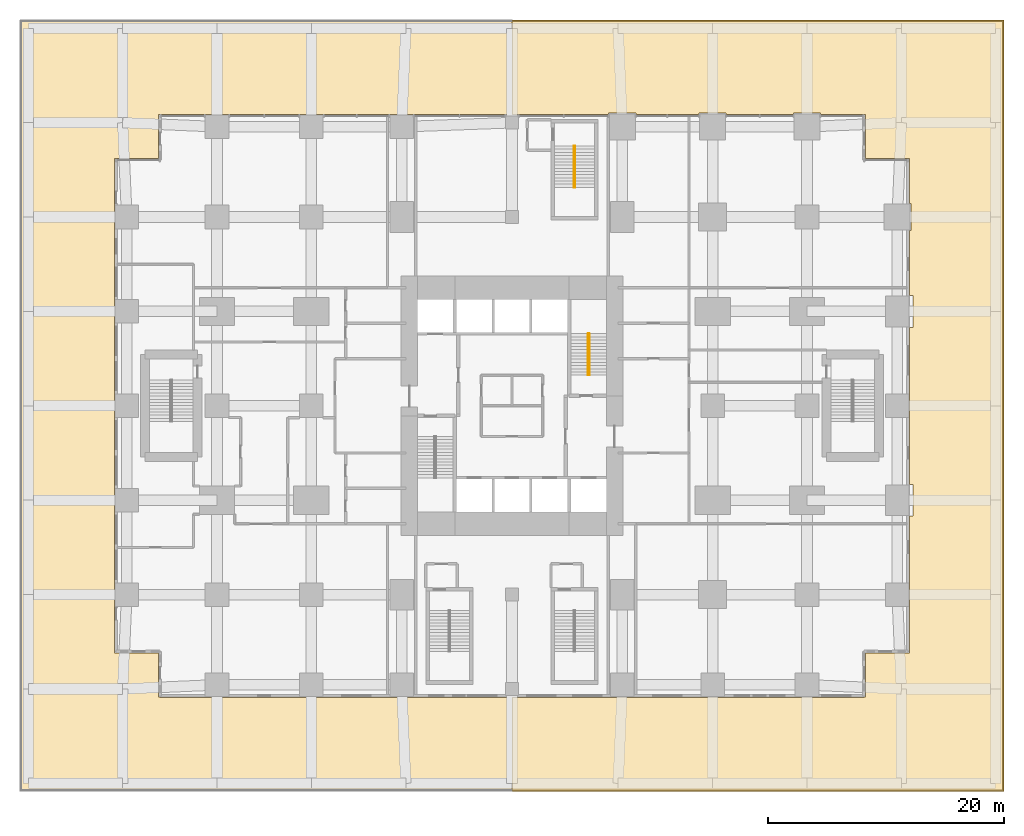
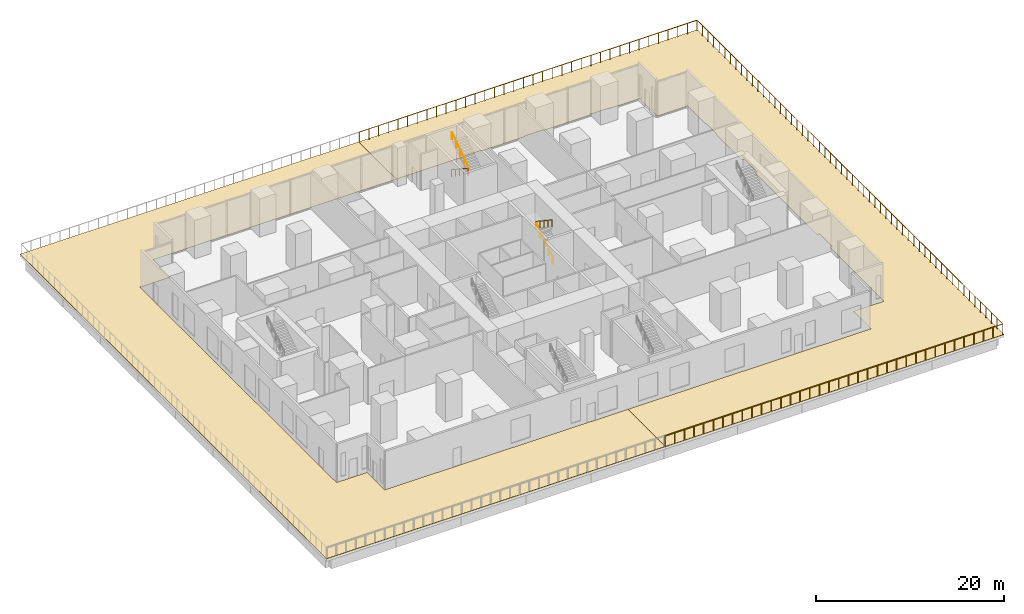
# One storey, part 15 of 16: 5 railings, 3 coverings.
"""IFC4 building model written with IfcOpenShell, lengths in metres."""

from ifc_helpers import new_model, si_unit, direction, frame, origin, origin_2d, place, context, subcontext, project, spatial, polyline, circle, outline, extrude, material, layer, layer_set, type_object, element, save


model = new_model("IFC4")

# Units and contexts
model_context = context("Model", 3, precision=1e-05, world=origin(), true_north=direction((0.0, 1.0)))
body_context = subcontext(model_context, "Body", "Model", "MODEL_VIEW")
ifc_project = project(units=[si_unit("LENGTHUNIT", "METRE"), si_unit("AREAUNIT", "SQUARE_METRE"), si_unit("VOLUMEUNIT", "CUBIC_METRE"), si_unit("PLANEANGLEUNIT", "RADIAN"), si_unit("MASSUNIT", "GRAM", prefix="KILO")], contexts=[model_context])

# Site, building, storey
site_placement = place(None, origin())
site = spatial("IfcSite", under=ifc_project, at=site_placement, CompositionType="ELEMENT")
building_placement = place(site_placement, origin())
building = spatial("IfcBuilding", under=site, at=building_placement, Name="Cleftline Residences", CompositionType="ELEMENT")
storey_placement = place(building_placement, frame((0.0, 0.0, 16.0)))
storey = spatial("IfcBuildingStorey", under=building, at=storey_placement, Name="L03", CompositionType="ELEMENT", Elevation=16.0)

# Railings
ifc_material_1 = material(Name="Stainless steel", Category="steel")
railing_type_1 = type_object("IfcRailingType", Name="HANDRAIL 900", PredefinedType="HANDRAIL", material=ifc_material_1)
railing_1_placement = place(storey_placement, frame((39.550048828125, 26.60009765625, 0.1787109375)))
element("IfcRailing", 1, at=railing_1_placement, inside=storey, type_object=railing_type_1, Name="Stair handrail", PredefinedType="HANDRAIL", context=body_context, shape_type="SweptSolid", body=[
    extrude(circle(Radius=0.02392578125, at=origin_2d()), frame((0.0, 0.0, 0.8759765625), z_axis=(0.0, 0.834097473627, 0.551617081397), x_axis=(-1.0, 0.0, 0.0)), (0.0, 0.0, 1.0), 4.208251953125),
    extrude(circle(Radius=0.02099609375, at=origin_2d()), origin(), (0.0, 0.0, 1.0), 0.851806640625),
    extrude(circle(Radius=0.02099609375, at=origin_2d()), frame((0.0, 0.87744140625, 0.580322265625)), (0.0, 0.0, 1.0), 0.851806640625),
    extrude(circle(Radius=0.02099609375, at=origin_2d()), frame((0.0, 1.7548828125, 1.16064453125)), (0.0, 0.0, 1.0), 0.851806640625),
    extrude(circle(Radius=0.02099609375, at=origin_2d()), frame((0.0, 2.632568359375, 1.740966796875)), (0.0, 0.0, 1.0), 0.851806640625),
    extrude(circle(Radius=0.02099609375, at=origin_2d()), frame((0.0, 3.510009765625, 2.3212890625)), (0.0, 0.0, 1.0), 0.851806640625),
])
for number, where, name in (
    (2, (39.449951171875, 30.110107421875, 2.6787109375), "Stair handrail"),
    (3, (38.25, 46.02001953125, 0.1787109375), "Stair handrail"),
):
    element("IfcRailing", number, at=place(storey_placement, frame(where)), inside=storey, type_object=railing_type_1, Name=name, PredefinedType="HANDRAIL", context=body_context, shape_type="SweptSolid", body=[
        extrude(circle(Radius=0.02392578125, at=origin_2d()), frame((0.0, 0.0, 0.8759765625), z_axis=(0.0, -0.834097473627, 0.551617081397), x_axis=(1.0, 0.0, 0.0)), (0.0, 0.0, 1.0), 4.208251953125),
        extrude(circle(Radius=0.02099609375, at=origin_2d()), origin(), (0.0, 0.0, 1.0), 0.851806640625),
        extrude(circle(Radius=0.02099609375, at=origin_2d()), frame((0.0, -0.87744140625, 0.580322265625)), (0.0, 0.0, 1.0), 0.851806640625),
        extrude(circle(Radius=0.02099609375, at=origin_2d()), frame((0.0, -1.7548828125, 1.16064453125)), (0.0, 0.0, 1.0), 0.851806640625),
        extrude(circle(Radius=0.02099609375, at=origin_2d()), frame((0.0, -2.632568359375, 1.740966796875)), (0.0, 0.0, 1.0), 0.851806640625),
        extrude(circle(Radius=0.02099609375, at=origin_2d()), frame((0.0, -3.510009765625, 2.3212890625)), (0.0, 0.0, 1.0), 0.851806640625),
    ])
railing_2_placement = place(storey_placement, frame((38.35009765625, 42.510009765625, 2.6787109375)))
element("IfcRailing", 4, at=railing_2_placement, inside=storey, type_object=railing_type_1, Name="Stair handrail", PredefinedType="HANDRAIL", context=body_context, shape_type="SweptSolid", body=[
    extrude(circle(Radius=0.02392578125, at=origin_2d()), frame((0.0, 0.0, 0.8759765625), z_axis=(0.0, 0.834097473627, 0.551617081397), x_axis=(-1.0, 0.0, 0.0)), (0.0, 0.0, 1.0), 4.208251953125),
    extrude(circle(Radius=0.02099609375, at=origin_2d()), origin(), (0.0, 0.0, 1.0), 0.851806640625),
    extrude(circle(Radius=0.02099609375, at=origin_2d()), frame((0.0, 0.87744140625, 0.580322265625)), (0.0, 0.0, 1.0), 0.851806640625),
    extrude(circle(Radius=0.02099609375, at=origin_2d()), frame((0.0, 1.7548828125, 1.16064453125)), (0.0, 0.0, 1.0), 0.851806640625),
    extrude(circle(Radius=0.02099609375, at=origin_2d()), frame((0.0, 2.632568359375, 1.740966796875)), (0.0, 0.0, 1.0), 0.851806640625),
    extrude(circle(Radius=0.02099609375, at=origin_2d()), frame((0.0, 3.510009765625, 2.3212890625)), (0.0, 0.0, 1.0), 0.851806640625),
])
ifc_material_2 = material(Name="Stainless steel and laminated glass", Category="steel")
railing_type_2 = type_object("IfcRailingType", Name="TERRACE GUARD 1400", PredefinedType="GUARDRAIL", material=ifc_material_2)
railing_3_placement = place(storey_placement, frame((33.02490234375, 56.60009765625, 0.0)))
element("IfcRailing", 5, at=railing_3_placement, inside=storey, type_object=railing_type_2, Name="Terrace guard", PredefinedType="GUARDRAIL", context=body_context, shape_type="SweptSolid", body=[
    extrude(circle(Radius=0.02392578125, at=origin_2d()), frame((0.0, 0.0, 1.3759765625), z_axis=(1.0, 0.0, 0.0), x_axis=(0.0, 1.0, 0.0)), (0.0, 0.0, 1.0), 41.5751953125),
    extrude(circle(Radius=0.02392578125, at=origin_2d()), frame((41.5751953125, 0.0, 1.3759765625), z_axis=(0.0, -1.0, 0.0), x_axis=(1.0, 0.0, 0.0)), (0.0, 0.0, 1.0), 65.2001953125),
    extrude(circle(Radius=0.02392578125, at=origin_2d()), frame((41.5751953125, -65.2001953125, 1.3759765625), z_axis=(-1.0, 0.0, 0.0), x_axis=(0.0, -1.0, 0.0)), (0.0, 0.0, 1.0), 41.5751953125),
    extrude(circle(Radius=0.02099609375, at=origin_2d()), origin(), (0.0, 0.0, 1.0), 1.351806640625),
    extrude(circle(Radius=0.02099609375, at=origin_2d()), frame((1.187744140625, 0.0, 0.0)), (0.0, 0.0, 1.0), 1.351806640625),
    extrude(circle(Radius=0.02099609375, at=origin_2d()), frame((2.375732421875, 0.0, 0.0)), (0.0, 0.0, 1.0), 1.351806640625),
    extrude(circle(Radius=0.02099609375, at=origin_2d()), frame((3.5634765625, 0.0, 0.0)), (0.0, 0.0, 1.0), 1.351806640625),
    extrude(circle(Radius=0.02099609375, at=origin_2d()), frame((4.75146484375, 0.0, 0.0)), (0.0, 0.0, 1.0), 1.351806640625),
    extrude(circle(Radius=0.02099609375, at=origin_2d()), frame((5.939208984375, 0.0, 0.0)), (0.0, 0.0, 1.0), 1.351806640625),
    extrude(circle(Radius=0.02099609375, at=origin_2d()), frame((7.127197265625, 0.0, 0.0)), (0.0, 0.0, 1.0), 1.351806640625),
    extrude(circle(Radius=0.02099609375, at=origin_2d()), frame((8.31494140625, 0.0, 0.0)), (0.0, 0.0, 1.0), 1.351806640625),
    extrude(circle(Radius=0.02099609375, at=origin_2d()), frame((9.5029296875, 0.0, 0.0)), (0.0, 0.0, 1.0), 1.351806640625),
    extrude(circle(Radius=0.02099609375, at=origin_2d()), frame((10.690673828125, 0.0, 0.0)), (0.0, 0.0, 1.0), 1.351806640625),
    extrude(circle(Radius=0.02099609375, at=origin_2d()), frame((11.878662109375, 0.0, 0.0)), (0.0, 0.0, 1.0), 1.351806640625),
    extrude(circle(Radius=0.02099609375, at=origin_2d()), frame((13.06640625, 0.0, 0.0)), (0.0, 0.0, 1.0), 1.351806640625),
    extrude(circle(Radius=0.02099609375, at=origin_2d()), frame((14.25439453125, 0.0, 0.0)), (0.0, 0.0, 1.0), 1.351806640625),
    extrude(circle(Radius=0.02099609375, at=origin_2d()), frame((15.442138671875, 0.0, 0.0)), (0.0, 0.0, 1.0), 1.351806640625),
    extrude(circle(Radius=0.02099609375, at=origin_2d()), frame((16.630126953125, 0.0, 0.0)), (0.0, 0.0, 1.0), 1.351806640625),
    extrude(circle(Radius=0.02099609375, at=origin_2d()), frame((17.81787109375, 0.0, 0.0)), (0.0, 0.0, 1.0), 1.351806640625),
    extrude(circle(Radius=0.02099609375, at=origin_2d()), frame((19.005859375, 0.0, 0.0)), (0.0, 0.0, 1.0), 1.351806640625),
    extrude(circle(Radius=0.02099609375, at=origin_2d()), frame((20.193603515625, 0.0, 0.0)), (0.0, 0.0, 1.0), 1.351806640625),
    extrude(circle(Radius=0.02099609375, at=origin_2d()), frame((21.381591796875, 0.0, 0.0)), (0.0, 0.0, 1.0), 1.351806640625),
    extrude(circle(Radius=0.02099609375, at=origin_2d()), frame((22.5693359375, 0.0, 0.0)), (0.0, 0.0, 1.0), 1.351806640625),
    extrude(circle(Radius=0.02099609375, at=origin_2d()), frame((23.75732421875, 0.0, 0.0)), (0.0, 0.0, 1.0), 1.351806640625),
    extrude(circle(Radius=0.02099609375, at=origin_2d()), frame((24.945068359375, 0.0, 0.0)), (0.0, 0.0, 1.0), 1.351806640625),
    extrude(circle(Radius=0.02099609375, at=origin_2d()), frame((26.133056640625, 0.0, 0.0)), (0.0, 0.0, 1.0), 1.351806640625),
    extrude(circle(Radius=0.02099609375, at=origin_2d()), frame((27.32080078125, 0.0, 0.0)), (0.0, 0.0, 1.0), 1.351806640625),
    extrude(circle(Radius=0.02099609375, at=origin_2d()), frame((28.5087890625, 0.0, 0.0)), (0.0, 0.0, 1.0), 1.351806640625),
    extrude(circle(Radius=0.02099609375, at=origin_2d()), frame((29.696533203125, 0.0, 0.0)), (0.0, 0.0, 1.0), 1.351806640625),
    extrude(circle(Radius=0.02099609375, at=origin_2d()), frame((30.884521484375, 0.0, 0.0)), (0.0, 0.0, 1.0), 1.351806640625),
    extrude(circle(Radius=0.02099609375, at=origin_2d()), frame((32.072265625, 0.0, 0.0)), (0.0, 0.0, 1.0), 1.351806640625),
    extrude(circle(Radius=0.02099609375, at=origin_2d()), frame((33.26025390625, 0.0, 0.0)), (0.0, 0.0, 1.0), 1.351806640625),
    extrude(circle(Radius=0.02099609375, at=origin_2d()), frame((34.447998046875, 0.0, 0.0)), (0.0, 0.0, 1.0), 1.351806640625),
    extrude(circle(Radius=0.02099609375, at=origin_2d()), frame((35.635986328125, 0.0, 0.0)), (0.0, 0.0, 1.0), 1.351806640625),
    extrude(circle(Radius=0.02099609375, at=origin_2d()), frame((36.82373046875, 0.0, 0.0)), (0.0, 0.0, 1.0), 1.351806640625),
    extrude(circle(Radius=0.02099609375, at=origin_2d()), frame((38.01171875, 0.0, 0.0)), (0.0, 0.0, 1.0), 1.351806640625),
    extrude(circle(Radius=0.02099609375, at=origin_2d()), frame((39.199462890625, 0.0, 0.0)), (0.0, 0.0, 1.0), 1.351806640625),
    extrude(circle(Radius=0.02099609375, at=origin_2d()), frame((40.387451171875, 0.0, 0.0)), (0.0, 0.0, 1.0), 1.351806640625),
    extrude(circle(Radius=0.02099609375, at=origin_2d()), frame((41.5751953125, 0.0, 0.0)), (0.0, 0.0, 1.0), 1.351806640625),
    extrude(circle(Radius=0.02099609375, at=origin_2d()), frame((41.5751953125, -1.185546875, 0.0)), (0.0, 0.0, 1.0), 1.351806640625),
    extrude(circle(Radius=0.02099609375, at=origin_2d()), frame((41.5751953125, -2.370849609375, 0.0)), (0.0, 0.0, 1.0), 1.351806640625),
    extrude(circle(Radius=0.02099609375, at=origin_2d()), frame((41.5751953125, -3.556396484375, 0.0)), (0.0, 0.0, 1.0), 1.351806640625),
    extrude(circle(Radius=0.02099609375, at=origin_2d()), frame((41.5751953125, -4.741943359375, 0.0)), (0.0, 0.0, 1.0), 1.351806640625),
    extrude(circle(Radius=0.02099609375, at=origin_2d()), frame((41.5751953125, -5.92724609375, 0.0)), (0.0, 0.0, 1.0), 1.351806640625),
    extrude(circle(Radius=0.02099609375, at=origin_2d()), frame((41.5751953125, -7.11279296875, 0.0)), (0.0, 0.0, 1.0), 1.351806640625),
    extrude(circle(Radius=0.02099609375, at=origin_2d()), frame((41.5751953125, -8.298095703125, 0.0)), (0.0, 0.0, 1.0), 1.351806640625),
    extrude(circle(Radius=0.02099609375, at=origin_2d()), frame((41.5751953125, -9.483642578125, 0.0)), (0.0, 0.0, 1.0), 1.351806640625),
    extrude(circle(Radius=0.02099609375, at=origin_2d()), frame((41.5751953125, -10.669189453125, 0.0)), (0.0, 0.0, 1.0), 1.351806640625),
    extrude(circle(Radius=0.02099609375, at=origin_2d()), frame((41.5751953125, -11.8544921875, 0.0)), (0.0, 0.0, 1.0), 1.351806640625),
    extrude(circle(Radius=0.02099609375, at=origin_2d()), frame((41.5751953125, -13.0400390625, 0.0)), (0.0, 0.0, 1.0), 1.351806640625),
    extrude(circle(Radius=0.02099609375, at=origin_2d()), frame((41.5751953125, -14.2255859375, 0.0)), (0.0, 0.0, 1.0), 1.351806640625),
    extrude(circle(Radius=0.02099609375, at=origin_2d()), frame((41.5751953125, -15.410888671875, 0.0)), (0.0, 0.0, 1.0), 1.351806640625),
    extrude(circle(Radius=0.02099609375, at=origin_2d()), frame((41.5751953125, -16.596435546875, 0.0)), (0.0, 0.0, 1.0), 1.351806640625),
    extrude(circle(Radius=0.02099609375, at=origin_2d()), frame((41.5751953125, -17.781982421875, 0.0)), (0.0, 0.0, 1.0), 1.351806640625),
    extrude(circle(Radius=0.02099609375, at=origin_2d()), frame((41.5751953125, -18.96728515625, 0.0)), (0.0, 0.0, 1.0), 1.351806640625),
    extrude(circle(Radius=0.02099609375, at=origin_2d()), frame((41.5751953125, -20.15283203125, 0.0)), (0.0, 0.0, 1.0), 1.351806640625),
    extrude(circle(Radius=0.02099609375, at=origin_2d()), frame((41.5751953125, -21.338134765625, 0.0)), (0.0, 0.0, 1.0), 1.351806640625),
    extrude(circle(Radius=0.02099609375, at=origin_2d()), frame((41.5751953125, -22.523681640625, 0.0)), (0.0, 0.0, 1.0), 1.351806640625),
    extrude(circle(Radius=0.02099609375, at=origin_2d()), frame((41.5751953125, -23.709228515625, 0.0)), (0.0, 0.0, 1.0), 1.351806640625),
    extrude(circle(Radius=0.02099609375, at=origin_2d()), frame((41.5751953125, -24.89453125, 0.0)), (0.0, 0.0, 1.0), 1.351806640625),
    extrude(circle(Radius=0.02099609375, at=origin_2d()), frame((41.5751953125, -26.080078125, 0.0)), (0.0, 0.0, 1.0), 1.351806640625),
    extrude(circle(Radius=0.02099609375, at=origin_2d()), frame((41.5751953125, -27.265625, 0.0)), (0.0, 0.0, 1.0), 1.351806640625),
    extrude(circle(Radius=0.02099609375, at=origin_2d()), frame((41.5751953125, -28.450927734375, 0.0)), (0.0, 0.0, 1.0), 1.351806640625),
    extrude(circle(Radius=0.02099609375, at=origin_2d()), frame((41.5751953125, -29.636474609375, 0.0)), (0.0, 0.0, 1.0), 1.351806640625),
    extrude(circle(Radius=0.02099609375, at=origin_2d()), frame((41.5751953125, -30.822021484375, 0.0)), (0.0, 0.0, 1.0), 1.351806640625),
    extrude(circle(Radius=0.02099609375, at=origin_2d()), frame((41.5751953125, -32.00732421875, 0.0)), (0.0, 0.0, 1.0), 1.351806640625),
    extrude(circle(Radius=0.02099609375, at=origin_2d()), frame((41.5751953125, -33.19287109375, 0.0)), (0.0, 0.0, 1.0), 1.351806640625),
    extrude(circle(Radius=0.02099609375, at=origin_2d()), frame((41.5751953125, -34.378173828125, 0.0)), (0.0, 0.0, 1.0), 1.351806640625),
    extrude(circle(Radius=0.02099609375, at=origin_2d()), frame((41.5751953125, -35.563720703125, 0.0)), (0.0, 0.0, 1.0), 1.351806640625),
    extrude(circle(Radius=0.02099609375, at=origin_2d()), frame((41.5751953125, -36.749267578125, 0.0)), (0.0, 0.0, 1.0), 1.351806640625),
    extrude(circle(Radius=0.02099609375, at=origin_2d()), frame((41.5751953125, -37.9345703125, 0.0)), (0.0, 0.0, 1.0), 1.351806640625),
    extrude(circle(Radius=0.02099609375, at=origin_2d()), frame((41.5751953125, -39.1201171875, 0.0)), (0.0, 0.0, 1.0), 1.351806640625),
    extrude(circle(Radius=0.02099609375, at=origin_2d()), frame((41.5751953125, -40.3056640625, 0.0)), (0.0, 0.0, 1.0), 1.351806640625),
    extrude(circle(Radius=0.02099609375, at=origin_2d()), frame((41.5751953125, -41.490966796875, 0.0)), (0.0, 0.0, 1.0), 1.351806640625),
    extrude(circle(Radius=0.02099609375, at=origin_2d()), frame((41.5751953125, -42.676513671875, 0.0)), (0.0, 0.0, 1.0), 1.351806640625),
    extrude(circle(Radius=0.02099609375, at=origin_2d()), frame((41.5751953125, -43.862060546875, 0.0)), (0.0, 0.0, 1.0), 1.351806640625),
    extrude(circle(Radius=0.02099609375, at=origin_2d()), frame((41.5751953125, -45.04736328125, 0.0)), (0.0, 0.0, 1.0), 1.351806640625),
    extrude(circle(Radius=0.02099609375, at=origin_2d()), frame((41.5751953125, -46.23291015625, 0.0)), (0.0, 0.0, 1.0), 1.351806640625),
    extrude(circle(Radius=0.02099609375, at=origin_2d()), frame((41.5751953125, -47.418212890625, 0.0)), (0.0, 0.0, 1.0), 1.351806640625),
    extrude(circle(Radius=0.02099609375, at=origin_2d()), frame((41.5751953125, -48.603759765625, 0.0)), (0.0, 0.0, 1.0), 1.351806640625),
    extrude(circle(Radius=0.02099609375, at=origin_2d()), frame((41.5751953125, -49.789306640625, 0.0)), (0.0, 0.0, 1.0), 1.351806640625),
    extrude(circle(Radius=0.02099609375, at=origin_2d()), frame((41.5751953125, -50.974609375, 0.0)), (0.0, 0.0, 1.0), 1.351806640625),
    extrude(circle(Radius=0.02099609375, at=origin_2d()), frame((41.5751953125, -52.16015625, 0.0)), (0.0, 0.0, 1.0), 1.351806640625),
    extrude(circle(Radius=0.02099609375, at=origin_2d()), frame((41.5751953125, -53.345703125, 0.0)), (0.0, 0.0, 1.0), 1.351806640625),
    extrude(circle(Radius=0.02099609375, at=origin_2d()), frame((41.5751953125, -54.531005859375, 0.0)), (0.0, 0.0, 1.0), 1.351806640625),
    extrude(circle(Radius=0.02099609375, at=origin_2d()), frame((41.5751953125, -55.716552734375, 0.0)), (0.0, 0.0, 1.0), 1.351806640625),
    extrude(circle(Radius=0.02099609375, at=origin_2d()), frame((41.5751953125, -56.902099609375, 0.0)), (0.0, 0.0, 1.0), 1.351806640625),
    extrude(circle(Radius=0.02099609375, at=origin_2d()), frame((41.5751953125, -58.08740234375, 0.0)), (0.0, 0.0, 1.0), 1.351806640625),
    extrude(circle(Radius=0.02099609375, at=origin_2d()), frame((41.5751953125, -59.27294921875, 0.0)), (0.0, 0.0, 1.0), 1.351806640625),
    extrude(circle(Radius=0.02099609375, at=origin_2d()), frame((41.5751953125, -60.458251953125, 0.0)), (0.0, 0.0, 1.0), 1.351806640625),
    extrude(circle(Radius=0.02099609375, at=origin_2d()), frame((41.5751953125, -61.643798828125, 0.0)), (0.0, 0.0, 1.0), 1.351806640625),
    extrude(circle(Radius=0.02099609375, at=origin_2d()), frame((41.5751953125, -62.829345703125, 0.0)), (0.0, 0.0, 1.0), 1.351806640625),
    extrude(circle(Radius=0.02099609375, at=origin_2d()), frame((41.5751953125, -64.0146484375, 0.0)), (0.0, 0.0, 1.0), 1.351806640625),
    extrude(circle(Radius=0.02099609375, at=origin_2d()), frame((41.5751953125, -65.2001953125, 0.0)), (0.0, 0.0, 1.0), 1.351806640625),
    extrude(circle(Radius=0.02099609375, at=origin_2d()), frame((40.387451171875, -65.2001953125, 0.0)), (0.0, 0.0, 1.0), 1.351806640625),
    extrude(circle(Radius=0.02099609375, at=origin_2d()), frame((39.199462890625, -65.2001953125, 0.0)), (0.0, 0.0, 1.0), 1.351806640625),
    extrude(circle(Radius=0.02099609375, at=origin_2d()), frame((38.01171875, -65.2001953125, 0.0)), (0.0, 0.0, 1.0), 1.351806640625),
    extrude(circle(Radius=0.02099609375, at=origin_2d()), frame((36.82373046875, -65.2001953125, 0.0)), (0.0, 0.0, 1.0), 1.351806640625),
    extrude(circle(Radius=0.02099609375, at=origin_2d()), frame((35.635986328125, -65.2001953125, 0.0)), (0.0, 0.0, 1.0), 1.351806640625),
    extrude(circle(Radius=0.02099609375, at=origin_2d()), frame((34.447998046875, -65.2001953125, 0.0)), (0.0, 0.0, 1.0), 1.351806640625),
    extrude(circle(Radius=0.02099609375, at=origin_2d()), frame((33.26025390625, -65.2001953125, 0.0)), (0.0, 0.0, 1.0), 1.351806640625),
    extrude(circle(Radius=0.02099609375, at=origin_2d()), frame((32.072265625, -65.2001953125, 0.0)), (0.0, 0.0, 1.0), 1.351806640625),
    extrude(circle(Radius=0.02099609375, at=origin_2d()), frame((30.884521484375, -65.2001953125, 0.0)), (0.0, 0.0, 1.0), 1.351806640625),
    extrude(circle(Radius=0.02099609375, at=origin_2d()), frame((29.696533203125, -65.2001953125, 0.0)), (0.0, 0.0, 1.0), 1.351806640625),
    extrude(circle(Radius=0.02099609375, at=origin_2d()), frame((28.5087890625, -65.2001953125, 0.0)), (0.0, 0.0, 1.0), 1.351806640625),
    extrude(circle(Radius=0.02099609375, at=origin_2d()), frame((27.32080078125, -65.2001953125, 0.0)), (0.0, 0.0, 1.0), 1.351806640625),
    extrude(circle(Radius=0.02099609375, at=origin_2d()), frame((26.133056640625, -65.2001953125, 0.0)), (0.0, 0.0, 1.0), 1.351806640625),
    extrude(circle(Radius=0.02099609375, at=origin_2d()), frame((24.945068359375, -65.2001953125, 0.0)), (0.0, 0.0, 1.0), 1.351806640625),
    extrude(circle(Radius=0.02099609375, at=origin_2d()), frame((23.75732421875, -65.2001953125, 0.0)), (0.0, 0.0, 1.0), 1.351806640625),
    extrude(circle(Radius=0.02099609375, at=origin_2d()), frame((22.5693359375, -65.2001953125, 0.0)), (0.0, 0.0, 1.0), 1.351806640625),
    extrude(circle(Radius=0.02099609375, at=origin_2d()), frame((21.381591796875, -65.2001953125, 0.0)), (0.0, 0.0, 1.0), 1.351806640625),
    extrude(circle(Radius=0.02099609375, at=origin_2d()), frame((20.193603515625, -65.2001953125, 0.0)), (0.0, 0.0, 1.0), 1.351806640625),
    extrude(circle(Radius=0.02099609375, at=origin_2d()), frame((19.005859375, -65.2001953125, 0.0)), (0.0, 0.0, 1.0), 1.351806640625),
    extrude(circle(Radius=0.02099609375, at=origin_2d()), frame((17.81787109375, -65.2001953125, 0.0)), (0.0, 0.0, 1.0), 1.351806640625),
    extrude(circle(Radius=0.02099609375, at=origin_2d()), frame((16.630126953125, -65.2001953125, 0.0)), (0.0, 0.0, 1.0), 1.351806640625),
    extrude(circle(Radius=0.02099609375, at=origin_2d()), frame((15.442138671875, -65.2001953125, 0.0)), (0.0, 0.0, 1.0), 1.351806640625),
    extrude(circle(Radius=0.02099609375, at=origin_2d()), frame((14.25439453125, -65.2001953125, 0.0)), (0.0, 0.0, 1.0), 1.351806640625),
    extrude(circle(Radius=0.02099609375, at=origin_2d()), frame((13.06640625, -65.2001953125, 0.0)), (0.0, 0.0, 1.0), 1.351806640625),
    extrude(circle(Radius=0.02099609375, at=origin_2d()), frame((11.878662109375, -65.2001953125, 0.0)), (0.0, 0.0, 1.0), 1.351806640625),
    extrude(circle(Radius=0.02099609375, at=origin_2d()), frame((10.690673828125, -65.2001953125, 0.0)), (0.0, 0.0, 1.0), 1.351806640625),
    extrude(circle(Radius=0.02099609375, at=origin_2d()), frame((9.5029296875, -65.2001953125, 0.0)), (0.0, 0.0, 1.0), 1.351806640625),
    extrude(circle(Radius=0.02099609375, at=origin_2d()), frame((8.31494140625, -65.2001953125, 0.0)), (0.0, 0.0, 1.0), 1.351806640625),
    extrude(circle(Radius=0.02099609375, at=origin_2d()), frame((7.127197265625, -65.2001953125, 0.0)), (0.0, 0.0, 1.0), 1.351806640625),
    extrude(circle(Radius=0.02099609375, at=origin_2d()), frame((5.939208984375, -65.2001953125, 0.0)), (0.0, 0.0, 1.0), 1.351806640625),
    extrude(circle(Radius=0.02099609375, at=origin_2d()), frame((4.75146484375, -65.2001953125, 0.0)), (0.0, 0.0, 1.0), 1.351806640625),
    extrude(circle(Radius=0.02099609375, at=origin_2d()), frame((3.5634765625, -65.2001953125, 0.0)), (0.0, 0.0, 1.0), 1.351806640625),
    extrude(circle(Radius=0.02099609375, at=origin_2d()), frame((2.375732421875, -65.2001953125, 0.0)), (0.0, 0.0, 1.0), 1.351806640625),
    extrude(circle(Radius=0.02099609375, at=origin_2d()), frame((1.187744140625, -65.2001953125, 0.0)), (0.0, 0.0, 1.0), 1.351806640625),
    extrude(circle(Radius=0.02099609375, at=origin_2d()), frame((0.0, -65.2001953125, 0.0)), (0.0, 0.0, 1.0), 1.351806640625),
])

# Coverings
ifc_material_3 = material(Name="Porcelain paving on adhesive bed")
ifc_layer_1 = layer(ifc_material_3, 0.0400390625)
ifc_layer_set_1 = layer_set([ifc_layer_1], Name="TERRACE PAVING 40")
covering_type_1 = type_object("IfcCoveringType", Name="TERRACE PAVING 40", PredefinedType="FLOORING", material=ifc_layer_set_1)
covering_1_placement = place(storey_placement, frame((0.0, 0.0, 0.0048828125)))
element("IfcCovering", 6, at=covering_1_placement, inside=storey, type_object=covering_type_1, Name="Terrace paving L03 1", PredefinedType="FLOORING", context=body_context, shape_type="SweptSolid", body=[
    extrude(outline(polyline([(-8.68994140625, -8.699951171875), (33.0, -8.699951171875), (33.0, -0.705078125), (3.169921875, -0.705078125), (3.169921875, -0.699951171875), (3.05029296875, -0.699951171875), (3.050048828125, -0.699951171875), (3.050048828125, -0.69970703125), (3.050048828125, -0.580078125), (3.044921875, -0.580078125), (3.044921875, 3.044921875), (-0.580078125, 3.044921875), (-0.580078125, 3.050048828125), (-0.69970703125, 3.050048828125), (-0.699951171875, 3.050048828125), (-0.699951171875, 3.05029296875), (-0.699951171875, 3.169921875), (-0.705078125, 3.169921875), (-0.705078125, 44.830078125), (-0.699951171875, 44.830078125), (-0.699951171875, 44.94970703125), (-0.699951171875, 44.949951171875), (-0.69970703125, 44.949951171875), (3.0400390625, 44.949951171875), (3.041015625, 44.949951171875), (3.0419921875, 44.9501953125), (3.04296875, 44.950439453125), (3.043701171875, 44.95068359375), (3.044677734375, 44.951171875), (3.044921875, 44.951416015625), (3.044921875, 48.580078125), (3.050048828125, 48.580078125), (3.050048828125, 48.69970703125), (3.050048828125, 48.699951171875), (3.05029296875, 48.699951171875), (33.0, 48.699951171875), (33.0, 56.699951171875), (-8.68994140625, 56.699951171875), (-8.69091796875, 56.699951171875), (-8.69189453125, 56.69970703125), (-8.69287109375, 56.69970703125), (-8.69384765625, 56.69921875), (-8.694580078125, 56.69873046875), (-8.695556640625, 56.6982421875), (-8.6962890625, 56.69775390625), (-8.697021484375, 56.697021484375), (-8.69775390625, 56.6962890625), (-8.6982421875, 56.695556640625), (-8.69873046875, 56.694580078125), (-8.69921875, 56.69384765625), (-8.69970703125, 56.69287109375), (-8.69970703125, 56.69189453125), (-8.699951171875, 56.69091796875), (-8.699951171875, 56.68994140625), (-8.699951171875, -8.68994140625), (-8.699951171875, -8.69091796875), (-8.69970703125, -8.69189453125), (-8.69970703125, -8.69287109375), (-8.69921875, -8.69384765625), (-8.69873046875, -8.694580078125), (-8.6982421875, -8.695556640625), (-8.69775390625, -8.6962890625), (-8.697021484375, -8.697021484375), (-8.6962890625, -8.69775390625), (-8.695556640625, -8.6982421875), (-8.694580078125, -8.69873046875), (-8.69384765625, -8.69921875), (-8.69287109375, -8.69970703125), (-8.69189453125, -8.69970703125), (-8.69091796875, -8.699951171875), (-8.68994140625, -8.699951171875)])), origin(), (0.0, 0.0, 1.0), 0.0400390625),
])
covering_2_placement = place(storey_placement, frame((0.0, 0.0, 0.0048828125)))
element("IfcCovering", 7, at=covering_2_placement, inside=storey, type_object=covering_type_1, Name="Terrace paving L03 2", PredefinedType="FLOORING", context=body_context, shape_type="SweptSolid", body=[
    extrude(outline(polyline([(33.0, 56.699951171875), (33.0, 48.699951171875), (41.199951171875, 48.699951171875), (41.199951171875, 48.800048828125), (43.5, 48.800048828125), (43.5, 48.699951171875), (48.85009765625, 48.699951171875), (48.85009765625, 48.800048828125), (51.14990234375, 48.800048828125), (51.14990234375, 48.699951171875), (56.85009765625, 48.699951171875), (56.85009765625, 48.800048828125), (59.14990234375, 48.800048828125), (59.14990234375, 48.699951171875), (62.94970703125, 48.699951171875), (62.949951171875, 48.699951171875), (62.949951171875, 48.69970703125), (62.949951171875, 48.580078125), (62.955078125, 48.580078125), (62.955078125, 44.951416015625), (62.955322265625, 44.951171875), (62.956298828125, 44.95068359375), (62.95703125, 44.950439453125), (62.9580078125, 44.9501953125), (62.958984375, 44.949951171875), (62.9599609375, 44.949951171875), (66.69970703125, 44.949951171875), (66.699951171875, 44.949951171875), (66.699951171875, 44.94970703125), (66.699951171875, 44.830078125), (66.705078125, 44.830078125), (66.705078125, 41.14990234375), (66.800048828125, 41.14990234375), (66.800048828125, 38.85009765625), (66.705078125, 38.85009765625), (66.705078125, 33.35009765625), (67.0, 33.35009765625), (67.0, 30.64990234375), (66.705078125, 30.64990234375), (66.705078125, 17.35009765625), (67.0, 17.35009765625), (67.0, 14.64990234375), (66.705078125, 14.64990234375), (66.705078125, 3.169921875), (66.699951171875, 3.169921875), (66.699951171875, 3.05029296875), (66.699951171875, 3.050048828125), (66.69970703125, 3.050048828125), (66.580078125, 3.050048828125), (66.580078125, 3.044921875), (62.955078125, 3.044921875), (62.955078125, -0.580078125), (62.949951171875, -0.580078125), (62.949951171875, -0.69970703125), (62.949951171875, -0.699951171875), (62.94970703125, -0.699951171875), (62.830078125, -0.699951171875), (62.830078125, -0.705078125), (33.0, -0.705078125), (33.0, -8.699951171875), (74.68994140625, -8.699951171875), (74.69091796875, -8.699951171875), (74.69189453125, -8.69970703125), (74.69287109375, -8.69970703125), (74.69384765625, -8.69921875), (74.694580078125, -8.69873046875), (74.695556640625, -8.6982421875), (74.6962890625, -8.69775390625), (74.697021484375, -8.697021484375), (74.69775390625, -8.6962890625), (74.6982421875, -8.695556640625), (74.69873046875, -8.694580078125), (74.69921875, -8.69384765625), (74.69970703125, -8.69287109375), (74.69970703125, -8.69189453125), (74.699951171875, -8.69091796875), (74.699951171875, -8.68994140625), (74.699951171875, 56.68994140625), (74.699951171875, 56.69091796875), (74.69970703125, 56.69189453125), (74.69970703125, 56.69287109375), (74.69921875, 56.69384765625), (74.69873046875, 56.694580078125), (74.6982421875, 56.695556640625), (74.69775390625, 56.6962890625), (74.697021484375, 56.697021484375), (74.6962890625, 56.69775390625), (74.695556640625, 56.6982421875), (74.694580078125, 56.69873046875), (74.69384765625, 56.69921875), (74.69287109375, 56.69970703125), (74.69189453125, 56.69970703125), (74.69091796875, 56.699951171875), (74.68994140625, 56.699951171875), (33.0, 56.699951171875)])), origin(), (0.0, 0.0, 1.0), 0.0400390625),
])
ifc_material_4 = material(Name="Liquid-applied polyurethane waterproofing")
ifc_layer_2 = layer(ifc_material_4, 0.0048828125)
ifc_layer_set_2 = layer_set([ifc_layer_2], Name="TERRACE WATERPROOFING 5")
covering_type_2 = type_object("IfcCoveringType", Name="TERRACE WATERPROOFING 5", PredefinedType="ROOFING", material=ifc_layer_set_2)
covering_3_placement = place(storey_placement, origin())
element("IfcCovering", 8, at=covering_3_placement, inside=storey, type_object=covering_type_2, Name="Terrace waterproofing L03 2", PredefinedType="ROOFING", context=body_context, shape_type="SweptSolid", body=[
    extrude(outline(polyline([(33.0, 56.699951171875), (33.0, 48.699951171875), (41.199951171875, 48.699951171875), (41.199951171875, 48.800048828125), (43.5, 48.800048828125), (43.5, 48.699951171875), (48.85009765625, 48.699951171875), (48.85009765625, 48.800048828125), (51.14990234375, 48.800048828125), (51.14990234375, 48.699951171875), (56.85009765625, 48.699951171875), (56.85009765625, 48.800048828125), (59.14990234375, 48.800048828125), (59.14990234375, 48.699951171875), (62.94970703125, 48.699951171875), (62.949951171875, 48.699951171875), (62.949951171875, 48.69970703125), (62.949951171875, 48.580078125), (62.955078125, 48.580078125), (62.955078125, 44.951416015625), (62.955322265625, 44.951171875), (62.956298828125, 44.95068359375), (62.95703125, 44.950439453125), (62.9580078125, 44.9501953125), (62.958984375, 44.949951171875), (62.9599609375, 44.949951171875), (66.69970703125, 44.949951171875), (66.699951171875, 44.949951171875), (66.699951171875, 44.94970703125), (66.699951171875, 44.830078125), (66.705078125, 44.830078125), (66.705078125, 41.14990234375), (66.800048828125, 41.14990234375), (66.800048828125, 38.85009765625), (66.705078125, 38.85009765625), (66.705078125, 33.35009765625), (67.0, 33.35009765625), (67.0, 30.64990234375), (66.705078125, 30.64990234375), (66.705078125, 17.35009765625), (67.0, 17.35009765625), (67.0, 14.64990234375), (66.705078125, 14.64990234375), (66.705078125, 3.169921875), (66.699951171875, 3.169921875), (66.699951171875, 3.05029296875), (66.699951171875, 3.050048828125), (66.69970703125, 3.050048828125), (66.580078125, 3.050048828125), (66.580078125, 3.044921875), (62.955078125, 3.044921875), (62.955078125, -0.580078125), (62.949951171875, -0.580078125), (62.949951171875, -0.69970703125), (62.949951171875, -0.699951171875), (62.94970703125, -0.699951171875), (62.830078125, -0.699951171875), (62.830078125, -0.705078125), (33.0, -0.705078125), (33.0, -8.699951171875), (74.68994140625, -8.699951171875), (74.69091796875, -8.699951171875), (74.69189453125, -8.69970703125), (74.69287109375, -8.69970703125), (74.69384765625, -8.69921875), (74.694580078125, -8.69873046875), (74.695556640625, -8.6982421875), (74.6962890625, -8.69775390625), (74.697021484375, -8.697021484375), (74.69775390625, -8.6962890625), (74.6982421875, -8.695556640625), (74.69873046875, -8.694580078125), (74.69921875, -8.69384765625), (74.69970703125, -8.69287109375), (74.69970703125, -8.69189453125), (74.699951171875, -8.69091796875), (74.699951171875, -8.68994140625), (74.699951171875, 56.68994140625), (74.699951171875, 56.69091796875), (74.69970703125, 56.69189453125), (74.69970703125, 56.69287109375), (74.69921875, 56.69384765625), (74.69873046875, 56.694580078125), (74.6982421875, 56.695556640625), (74.69775390625, 56.6962890625), (74.697021484375, 56.697021484375), (74.6962890625, 56.69775390625), (74.695556640625, 56.6982421875), (74.694580078125, 56.69873046875), (74.69384765625, 56.69921875), (74.69287109375, 56.69970703125), (74.69189453125, 56.69970703125), (74.69091796875, 56.699951171875), (74.68994140625, 56.699951171875), (33.0, 56.699951171875)])), origin(), (0.0, 0.0, 1.0), 0.0048828125),
])

save(model, "model.ifc")
